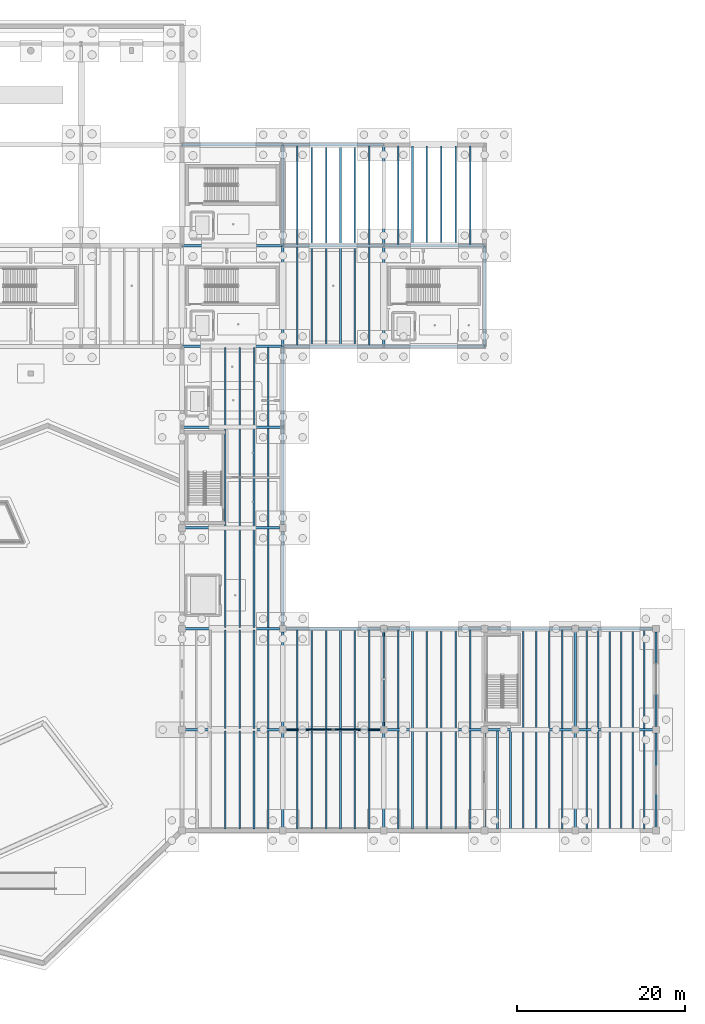
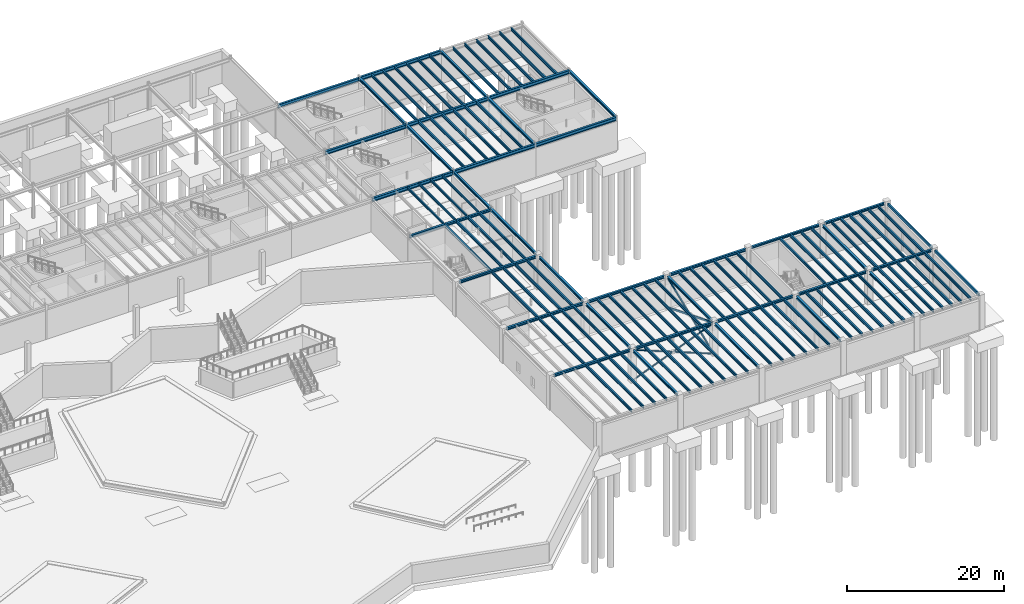
# One storey, part 27 of 67: 121 beams, 6 members.
"""IFC4 building model written with IfcOpenShell, lengths in metres."""

from ifc_helpers import new_model, si_unit, direction, frame, origin, origin_2d, place, context, subcontext, project, spatial, hollow_rectangle, hollow_circle, i_section, extrude, material, material_profile, profile_set, type_object, element, save


model = new_model("IFC4")

# Units and contexts
model_context = context("Model", 3, precision=1e-05, world=origin(), true_north=direction((0.0, 1.0)))
body_context = subcontext(model_context, "Body", "Model", "MODEL_VIEW")
ifc_project = project(units=[si_unit("LENGTHUNIT", "METRE"), si_unit("AREAUNIT", "SQUARE_METRE"), si_unit("VOLUMEUNIT", "CUBIC_METRE"), si_unit("PLANEANGLEUNIT", "RADIAN"), si_unit("MASSUNIT", "GRAM", prefix="KILO")], contexts=[model_context])

# Site, building, storey
site_placement = place(None, origin())
site = spatial("IfcSite", under=ifc_project, at=site_placement, CompositionType="ELEMENT")
building_placement = place(site_placement, origin())
building = spatial("IfcBuilding", under=site, at=building_placement, Name="Zlatogorsky Bluff Art Gallery", CompositionType="ELEMENT")
storey_placement = place(building_placement, frame((0.0, 0.0, -5.39990234375)))
storey = spatial("IfcBuildingStorey", under=building, at=storey_placement, Name="B1", CompositionType="ELEMENT", Elevation=-5.39990234375)

# Beams
ifc_material = material(Name="Steel S355", Category="steel")
ifc_material_profile_1 = material_profile(ifc_material, i_section(OverallWidth=0.300048828125, OverallDepth=0.550048828125, WebThickness=0.014892578125, FlangeThickness=0.029052734375, FilletRadius=0.027099609375, at=origin_2d()), Name="HEB 550")
ifc_profile_set_1 = profile_set([ifc_material_profile_1], Name="Steel S355")
beam_type_1 = type_object("IfcBeamType", Name="Beam BM-01 HEB 550", PredefinedType="BEAM", material=ifc_profile_set_1)
for number, where, z_axis, x_axis, name in (
    (1, (120.014892578125, 84.0, 4.764892578125), (1.0, 0.0, 0.0), (0.0, 1.0, 0.0), "Primary girder BM-01 B1 L-M/9"),
    (2, (120.014892578125, 96.0, 4.764892578125), (1.0, 0.0, 0.0), (0.0, 1.0, 0.0), "Primary girder BM-01 B1 L-M/10"),
    (3, (120.014892578125, 108.0, 4.764892578125), (1.0, 0.0, 0.0), (0.0, 1.0, 0.0), "Primary girder BM-01 B1 L-M/11"),
    (4, (132.014892578125, 84.0, 4.844970703125), (1.0, 0.0, 0.0), (0.0, 1.0, 0.0), "Primary girder BM-01 B1 M-N/9"),
    (5, (132.014892578125, 96.0, 4.844970703125), (1.0, 0.0, 0.0), (0.0, 1.0, 0.0), "Primary girder BM-01 B1 M-N/10"),
    (6, (132.014892578125, 108.0, 4.844970703125), (1.0, 0.0, 0.0), (0.0, 1.0, 0.0), "Primary girder BM-01 B1 M-N/11"),
    (7, (144.014892578125, 84.0, 4.844970703125), (1.0, 0.0, 0.0), (0.0, 1.0, 0.0), "Primary girder BM-01 B1 N-P/9"),
    (8, (144.014892578125, 96.0, 4.844970703125), (1.0, 0.0, 0.0), (0.0, 1.0, 0.0), "Primary girder BM-01 B1 N-P/10"),
):
    element("IfcBeam", number, at=place(storey_placement, frame(where, z_axis=z_axis, x_axis=x_axis)), inside=storey, type_object=beam_type_1, Name=name, PredefinedType="BEAM", context=body_context, shape_type="SweptSolid", body=[
        extrude(i_section(OverallWidth=0.300048828125, OverallDepth=0.550048828125, WebThickness=0.014892578125, FlangeThickness=0.029052734375, FilletRadius=0.027099609375, at=origin_2d()), origin(), (0.0, 0.0, 1.0), 11.97021484375),
    ])
ifc_material_profile_2 = material_profile(ifc_material, i_section(OverallWidth=0.300048828125, OverallDepth=0.389892578125, WebThickness=0.010986328125, FlangeThickness=0.01904296875, FilletRadius=0.027099609375, at=origin_2d()), Name="HEA 400")
ifc_profile_set_2 = profile_set([ifc_material_profile_2], Name="Steel S355")
beam_type_2 = type_object("IfcBeamType", Name="Beam BM-09 HEA 400", PredefinedType="BEAM", material=ifc_profile_set_2)
for number, where, z_axis, x_axis, name in (
    (9, (120.3798828125, 38.39990234375, 4.9248046875), (1.0, 0.0, 0.0), (0.0, 1.0, 0.0), "Primary girder BM-09 B1 L-M/5"),
    (10, (120.3798828125, 50.39990234375, 4.9248046875), (1.0, 0.0, 0.0), (0.0, 1.0, 0.0), "Primary girder BM-09 B1 L-M/6"),
    (11, (120.3798828125, 62.39990234375, 4.9248046875), (1.0, 0.0, 0.0), (0.0, 1.0, 0.0), "Primary girder BM-09 B1 L-M/7"),
):
    element("IfcBeam", number, at=place(storey_placement, frame(where, z_axis=z_axis, x_axis=x_axis)), inside=storey, type_object=beam_type_2, Name=name, PredefinedType="BEAM", context=body_context, shape_type="SweptSolid", body=[
        extrude(i_section(OverallWidth=0.300048828125, OverallDepth=0.389892578125, WebThickness=0.010986328125, FlangeThickness=0.01904296875, FilletRadius=0.027099609375, at=origin_2d()), origin(), (0.0, 0.0, 1.0), 11.240234375),
    ])
beam_1_placement = place(storey_placement, frame((120.014892578125, 74.39990234375, 4.844970703125), z_axis=(1.0, 0.0, 0.0), x_axis=(0.0, 1.0, 0.0)))
element("IfcBeam", 12, at=beam_1_placement, inside=storey, type_object=beam_type_2, Name="Primary girder BM-09 B1 L-M/8", PredefinedType="BEAM", context=body_context, shape_type="SweptSolid", body=[
    extrude(i_section(OverallWidth=0.300048828125, OverallDepth=0.389892578125, WebThickness=0.010986328125, FlangeThickness=0.01904296875, FilletRadius=0.027099609375, at=origin_2d()), origin(), (0.0, 0.0, 1.0), 11.97021484375),
])
for number, where, z_axis, x_axis, name in (
    (13, (132.3798828125, 38.39990234375, 4.9248046875), (1.0, 0.0, 0.0), (0.0, 1.0, 0.0), "Primary girder BM-09 B1 M-N/5"),
    (14, (132.3798828125, 50.39990234375, 4.9248046875), (1.0, 0.0, 0.0), (0.0, 1.0, 0.0), "Primary girder BM-09 B1 M-N/6"),
    (15, (144.3798828125, 38.39990234375, 4.9248046875), (1.0, 0.0, 0.0), (0.0, 1.0, 0.0), "Primary girder BM-09 B1 N-P/5"),
    (16, (144.3798828125, 50.39990234375, 4.9248046875), (1.0, 0.0, 0.0), (0.0, 1.0, 0.0), "Primary girder BM-09 B1 N-P/6"),
):
    element("IfcBeam", number, at=place(storey_placement, frame(where, z_axis=z_axis, x_axis=x_axis)), inside=storey, type_object=beam_type_2, Name=name, PredefinedType="BEAM", context=body_context, shape_type="SweptSolid", body=[
        extrude(i_section(OverallWidth=0.300048828125, OverallDepth=0.389892578125, WebThickness=0.010986328125, FlangeThickness=0.01904296875, FilletRadius=0.027099609375, at=origin_2d()), origin(), (0.0, 0.0, 1.0), 11.240234375),
    ])
for number, where, z_axis, x_axis, name in (
    (17, (132.0, 26.780029296875, 4.9248046875), (0.0, 1.0, 0.0), (-1.0, 0.0, 0.0), "Primary girder BM-09 B1 M/4-5"),
    (18, (132.0, 38.780029296875, 4.9248046875), (0.0, 1.0, 0.0), (-1.0, 0.0, 0.0), "Primary girder BM-09 B1 M/5-6"),
    (19, (132.0, 50.780029296875, 4.9248046875), (0.0, 1.0, 0.0), (-1.0, 0.0, 0.0), "Primary girder BM-09 B1 M/6-7"),
):
    element("IfcBeam", number, at=place(storey_placement, frame(where, z_axis=z_axis, x_axis=x_axis)), inside=storey, type_object=beam_type_2, Name=name, PredefinedType="BEAM", context=body_context, shape_type="SweptSolid", body=[
        extrude(i_section(OverallWidth=0.300048828125, OverallDepth=0.389892578125, WebThickness=0.010986328125, FlangeThickness=0.01904296875, FilletRadius=0.027099609375, at=origin_2d()), origin(), (0.0, 0.0, 1.0), 11.239990234375),
    ])
beam_2_placement = place(storey_placement, frame((132.0, 62.780029296875, 4.9248046875), z_axis=(0.0, 1.0, 0.0), x_axis=(-1.0, 0.0, 0.0)))
element("IfcBeam", 20, at=beam_2_placement, inside=storey, type_object=beam_type_2, Name="Primary girder BM-09 B1 M/7-8", PredefinedType="BEAM", context=body_context, shape_type="SweptSolid", body=[
    extrude(i_section(OverallWidth=0.300048828125, OverallDepth=0.389892578125, WebThickness=0.010986328125, FlangeThickness=0.01904296875, FilletRadius=0.027099609375, at=origin_2d()), origin(), (0.0, 0.0, 1.0), 11.60498046875),
])
for number, where, z_axis, x_axis, name in (
    (21, (132.0, 84.014892578125, 4.9248046875), (0.0, 1.0, 0.0), (-1.0, 0.0, 0.0), "Primary girder BM-09 B1 M/9-10"),
    (22, (132.0, 96.014892578125, 4.9248046875), (0.0, 1.0, 0.0), (-1.0, 0.0, 0.0), "Primary girder BM-09 B1 M/10-11"),
):
    element("IfcBeam", number, at=place(storey_placement, frame(where, z_axis=z_axis, x_axis=x_axis)), inside=storey, type_object=beam_type_2, Name=name, PredefinedType="BEAM", context=body_context, shape_type="SweptSolid", body=[
        extrude(i_section(OverallWidth=0.300048828125, OverallDepth=0.389892578125, WebThickness=0.010986328125, FlangeThickness=0.01904296875, FilletRadius=0.027099609375, at=origin_2d()), origin(), (0.0, 0.0, 1.0), 11.97021484375),
    ])
for number, where, z_axis, x_axis, name in (
    (23, (144.0, 26.780029296875, 4.9248046875), (0.0, 1.0, 0.0), (-1.0, 0.0, 0.0), "Primary girder BM-09 B1 N/4-5"),
    (24, (144.0, 38.780029296875, 4.9248046875), (0.0, 1.0, 0.0), (-1.0, 0.0, 0.0), "Primary girder BM-09 B1 N/5-6"),
):
    element("IfcBeam", number, at=place(storey_placement, frame(where, z_axis=z_axis, x_axis=x_axis)), inside=storey, type_object=beam_type_2, Name=name, PredefinedType="BEAM", context=body_context, shape_type="SweptSolid", body=[
        extrude(i_section(OverallWidth=0.300048828125, OverallDepth=0.389892578125, WebThickness=0.010986328125, FlangeThickness=0.01904296875, FilletRadius=0.027099609375, at=origin_2d()), origin(), (0.0, 0.0, 1.0), 11.239990234375),
    ])
for number, where, z_axis, x_axis, name in (
    (25, (144.0, 84.014892578125, 4.9248046875), (0.0, 1.0, 0.0), (-1.0, 0.0, 0.0), "Primary girder BM-09 B1 N/9-10"),
    (26, (144.0, 96.014892578125, 4.9248046875), (0.0, 1.0, 0.0), (-1.0, 0.0, 0.0), "Primary girder BM-09 B1 N/10-11"),
):
    element("IfcBeam", number, at=place(storey_placement, frame(where, z_axis=z_axis, x_axis=x_axis)), inside=storey, type_object=beam_type_2, Name=name, PredefinedType="BEAM", context=body_context, shape_type="SweptSolid", body=[
        extrude(i_section(OverallWidth=0.300048828125, OverallDepth=0.389892578125, WebThickness=0.010986328125, FlangeThickness=0.01904296875, FilletRadius=0.027099609375, at=origin_2d()), origin(), (0.0, 0.0, 1.0), 11.97021484375),
    ])
beam_3_placement = place(storey_placement, frame((156.0, 26.780029296875, 4.9248046875), z_axis=(0.0, 1.0, 0.0), x_axis=(-1.0, 0.0, 0.0)))
element("IfcBeam", 27, at=beam_3_placement, inside=storey, type_object=beam_type_2, Name="Primary girder BM-09 B1 P/4-5", PredefinedType="BEAM", context=body_context, shape_type="SweptSolid", body=[
    extrude(i_section(OverallWidth=0.300048828125, OverallDepth=0.389892578125, WebThickness=0.010986328125, FlangeThickness=0.01904296875, FilletRadius=0.027099609375, at=origin_2d()), origin(), (0.0, 0.0, 1.0), 11.239990234375),
])
beam_4_placement = place(storey_placement, frame((156.0, 84.014892578125, 4.9248046875), z_axis=(0.0, 1.0, 0.0), x_axis=(-1.0, 0.0, 0.0)))
element("IfcBeam", 28, at=beam_4_placement, inside=storey, type_object=beam_type_2, Name="Primary girder BM-09 B1 P/9-10", PredefinedType="BEAM", context=body_context, shape_type="SweptSolid", body=[
    extrude(i_section(OverallWidth=0.300048828125, OverallDepth=0.389892578125, WebThickness=0.010986328125, FlangeThickness=0.01904296875, FilletRadius=0.027099609375, at=origin_2d()), origin(), (0.0, 0.0, 1.0), 11.97021484375),
])
for number, where, z_axis, x_axis, name in (
    (29, (166.800048828125, 26.780029296875, 4.9248046875), (0.0, 1.0, 0.0), (-1.0, 0.0, 0.0), "Primary girder BM-09 B1 Q/4-5"),
    (30, (166.800048828125, 38.780029296875, 4.9248046875), (0.0, 1.0, 0.0), (-1.0, 0.0, 0.0), "Primary girder BM-09 B1 Q/5-6"),
):
    element("IfcBeam", number, at=place(storey_placement, frame(where, z_axis=z_axis, x_axis=x_axis)), inside=storey, type_object=beam_type_2, Name=name, PredefinedType="BEAM", context=body_context, shape_type="SweptSolid", body=[
        extrude(i_section(OverallWidth=0.300048828125, OverallDepth=0.389892578125, WebThickness=0.010986328125, FlangeThickness=0.01904296875, FilletRadius=0.027099609375, at=origin_2d()), origin(), (0.0, 0.0, 1.0), 11.239990234375),
    ])
ifc_material_profile_3 = material_profile(ifc_material, i_section(OverallWidth=0.300048828125, OverallDepth=0.35009765625, WebThickness=0.010009765625, FlangeThickness=0.017578125, FilletRadius=0.027099609375, at=origin_2d()), Name="HEA 360")
ifc_profile_set_3 = profile_set([ifc_material_profile_3], Name="Steel S355")
beam_type_3 = type_object("IfcBeamType", Name="Beam BM-10 HEA 360", PredefinedType="BEAM", material=ifc_profile_set_3)
for number, where, z_axis, x_axis, name in (
    (31, (156.3798828125, 38.39990234375, 4.94482421875), (1.0, 0.0, 0.0), (0.0, 1.0, 0.0), "Primary girder BM-10 B1 P-Q/5"),
    (32, (156.3798828125, 50.39990234375, 4.94482421875), (1.0, 0.0, 0.0), (0.0, 1.0, 0.0), "Primary girder BM-10 B1 P-Q/6"),
):
    element("IfcBeam", number, at=place(storey_placement, frame(where, z_axis=z_axis, x_axis=x_axis)), inside=storey, type_object=beam_type_3, Name=name, PredefinedType="BEAM", context=body_context, shape_type="SweptSolid", body=[
        extrude(i_section(OverallWidth=0.300048828125, OverallDepth=0.35009765625, WebThickness=0.010009765625, FlangeThickness=0.017578125, FilletRadius=0.027099609375, at=origin_2d()), origin(), (0.0, 0.0, 1.0), 10.0400390625),
    ])
for number, where, z_axis, x_axis, name in (
    (33, (167.179931640625, 38.39990234375, 4.94482421875), (1.0, 0.0, 0.0), (0.0, 1.0, 0.0), "Primary girder BM-10 B1 Q-R/5"),
    (34, (167.179931640625, 50.39990234375, 4.94482421875), (1.0, 0.0, 0.0), (0.0, 1.0, 0.0), "Primary girder BM-10 B1 Q-R/6"),
):
    element("IfcBeam", number, at=place(storey_placement, frame(where, z_axis=z_axis, x_axis=x_axis)), inside=storey, type_object=beam_type_3, Name=name, PredefinedType="BEAM", context=body_context, shape_type="SweptSolid", body=[
        extrude(i_section(OverallWidth=0.300048828125, OverallDepth=0.35009765625, WebThickness=0.010009765625, FlangeThickness=0.017578125, FilletRadius=0.027099609375, at=origin_2d()), origin(), (0.0, 0.0, 1.0), 8.840087890625),
    ])
beam_5_placement = place(storey_placement, frame((132.0, 74.4150390625, 4.94482421875), z_axis=(0.0, 1.0, 0.0), x_axis=(-1.0, 0.0, 0.0)))
element("IfcBeam", 35, at=beam_5_placement, inside=storey, type_object=beam_type_3, Name="Primary girder BM-10 B1 M/8-9", PredefinedType="BEAM", context=body_context, shape_type="SweptSolid", body=[
    extrude(i_section(OverallWidth=0.300048828125, OverallDepth=0.35009765625, WebThickness=0.010009765625, FlangeThickness=0.017578125, FilletRadius=0.027099609375, at=origin_2d()), origin(), (0.0, 0.0, 1.0), 9.570068359375),
])
ifc_material_profile_4 = material_profile(ifc_material, i_section(OverallWidth=0.169921875, OverallDepth=0.360107421875, WebThickness=0.008056640625, FlangeThickness=0.0126953125, FilletRadius=0.01806640625, at=origin_2d()), Name="IPE 360")
ifc_profile_set_4 = profile_set([ifc_material_profile_4], Name="Steel S355")
beam_type_4 = type_object("IfcBeamType", Name="Beam JS-04 IPE 360", PredefinedType="JOIST", material=ifc_profile_set_4)
for number, where, z_axis, x_axis, name in (
    (36, (125.142822265625, 74.550048828125, 4.93994140625), (0.0, 1.0, 0.0), (-1.0, 0.0, 0.0), "Composite floor joist JS-04 B1 10.07.3"),
    (37, (126.857177734375, 74.550048828125, 4.93994140625), (0.0, 1.0, 0.0), (-1.0, 0.0, 0.0), "Composite floor joist JS-04 B1 10.07.4"),
    (38, (128.571533203125, 74.550048828125, 4.93994140625), (0.0, 1.0, 0.0), (-1.0, 0.0, 0.0), "Composite floor joist JS-04 B1 10.07.5"),
    (39, (130.28564453125, 74.550048828125, 4.93994140625), (0.0, 1.0, 0.0), (-1.0, 0.0, 0.0), "Composite floor joist JS-04 B1 10.07.6"),
):
    element("IfcBeam", number, at=place(storey_placement, frame(where, z_axis=z_axis, x_axis=x_axis)), inside=storey, type_object=beam_type_4, Name=name, PredefinedType="JOIST", context=body_context, shape_type="SweptSolid", body=[
        extrude(i_section(OverallWidth=0.169921875, OverallDepth=0.360107421875, WebThickness=0.008056640625, FlangeThickness=0.0126953125, FilletRadius=0.01806640625, at=origin_2d()), origin(), (0.0, 0.0, 1.0), 9.300048828125),
    ])
ifc_material_profile_5 = material_profile(ifc_material, i_section(OverallWidth=0.18994140625, OverallDepth=0.449951171875, WebThickness=0.009521484375, FlangeThickness=0.0146484375, FilletRadius=0.02099609375, at=origin_2d()), Name="IPE 450")
ifc_profile_set_5 = profile_set([ifc_material_profile_5], Name="Steel S355")
beam_type_5 = type_object("IfcBeamType", Name="Beam JS-06 IPE 450", PredefinedType="JOIST", material=ifc_profile_set_5)
for number, where, z_axis, x_axis, name in (
    (40, (125.142822265625, 26.550048828125, 4.89501953125), (0.0, 1.0, 0.0), (-1.0, 0.0, 0.0), "Composite floor joist JS-06 B1 10.03.3"),
    (41, (126.857177734375, 26.550048828125, 4.89501953125), (0.0, 1.0, 0.0), (-1.0, 0.0, 0.0), "Composite floor joist JS-06 B1 10.03.4"),
    (42, (128.571533203125, 26.550048828125, 4.89501953125), (0.0, 1.0, 0.0), (-1.0, 0.0, 0.0), "Composite floor joist JS-06 B1 10.03.5"),
    (43, (130.28564453125, 26.550048828125, 4.89501953125), (0.0, 1.0, 0.0), (-1.0, 0.0, 0.0), "Composite floor joist JS-06 B1 10.03.6"),
    (44, (125.142822265625, 38.550048828125, 4.89501953125), (0.0, 1.0, 0.0), (-1.0, 0.0, 0.0), "Composite floor joist JS-06 B1 10.04.3"),
    (45, (126.857177734375, 38.550048828125, 4.89501953125), (0.0, 1.0, 0.0), (-1.0, 0.0, 0.0), "Composite floor joist JS-06 B1 10.04.4"),
    (46, (128.571533203125, 38.550048828125, 4.89501953125), (0.0, 1.0, 0.0), (-1.0, 0.0, 0.0), "Composite floor joist JS-06 B1 10.04.5"),
    (47, (130.28564453125, 38.550048828125, 4.89501953125), (0.0, 1.0, 0.0), (-1.0, 0.0, 0.0), "Composite floor joist JS-06 B1 10.04.6"),
    (48, (125.142822265625, 50.550048828125, 4.89501953125), (0.0, 1.0, 0.0), (-1.0, 0.0, 0.0), "Composite floor joist JS-06 B1 10.05.3"),
    (49, (126.857177734375, 50.550048828125, 4.89501953125), (0.0, 1.0, 0.0), (-1.0, 0.0, 0.0), "Composite floor joist JS-06 B1 10.05.4"),
    (50, (128.571533203125, 50.550048828125, 4.89501953125), (0.0, 1.0, 0.0), (-1.0, 0.0, 0.0), "Composite floor joist JS-06 B1 10.05.5"),
    (51, (130.28564453125, 50.550048828125, 4.89501953125), (0.0, 1.0, 0.0), (-1.0, 0.0, 0.0), "Composite floor joist JS-06 B1 10.05.6"),
    (52, (125.142822265625, 62.550048828125, 4.89501953125), (0.0, 1.0, 0.0), (-1.0, 0.0, 0.0), "Composite floor joist JS-06 B1 10.06.3"),
    (53, (126.857177734375, 62.550048828125, 4.89501953125), (0.0, 1.0, 0.0), (-1.0, 0.0, 0.0), "Composite floor joist JS-06 B1 10.06.4"),
    (54, (128.571533203125, 62.550048828125, 4.89501953125), (0.0, 1.0, 0.0), (-1.0, 0.0, 0.0), "Composite floor joist JS-06 B1 10.06.5"),
    (55, (130.28564453125, 62.550048828125, 4.89501953125), (0.0, 1.0, 0.0), (-1.0, 0.0, 0.0), "Composite floor joist JS-06 B1 10.06.6"),
    (56, (133.71435546875, 26.550048828125, 4.89501953125), (0.0, 1.0, 0.0), (-1.0, 0.0, 0.0), "Composite floor joist JS-06 B1 11.03.1"),
    (57, (135.428466796875, 26.550048828125, 4.89501953125), (0.0, 1.0, 0.0), (-1.0, 0.0, 0.0), "Composite floor joist JS-06 B1 11.03.2"),
    (58, (137.142822265625, 26.550048828125, 4.89501953125), (0.0, 1.0, 0.0), (-1.0, 0.0, 0.0), "Composite floor joist JS-06 B1 11.03.3"),
    (59, (138.857177734375, 26.550048828125, 4.89501953125), (0.0, 1.0, 0.0), (-1.0, 0.0, 0.0), "Composite floor joist JS-06 B1 11.03.4"),
    (60, (140.571533203125, 26.550048828125, 4.89501953125), (0.0, 1.0, 0.0), (-1.0, 0.0, 0.0), "Composite floor joist JS-06 B1 11.03.5"),
    (61, (142.28564453125, 26.550048828125, 4.89501953125), (0.0, 1.0, 0.0), (-1.0, 0.0, 0.0), "Composite floor joist JS-06 B1 11.03.6"),
    (62, (133.71435546875, 38.550048828125, 4.89501953125), (0.0, 1.0, 0.0), (-1.0, 0.0, 0.0), "Composite floor joist JS-06 B1 11.04.1"),
    (63, (135.428466796875, 38.550048828125, 4.89501953125), (0.0, 1.0, 0.0), (-1.0, 0.0, 0.0), "Composite floor joist JS-06 B1 11.04.2"),
    (64, (137.142822265625, 38.550048828125, 4.89501953125), (0.0, 1.0, 0.0), (-1.0, 0.0, 0.0), "Composite floor joist JS-06 B1 11.04.3"),
    (65, (138.857177734375, 38.550048828125, 4.89501953125), (0.0, 1.0, 0.0), (-1.0, 0.0, 0.0), "Composite floor joist JS-06 B1 11.04.4"),
    (66, (140.571533203125, 38.550048828125, 4.89501953125), (0.0, 1.0, 0.0), (-1.0, 0.0, 0.0), "Composite floor joist JS-06 B1 11.04.5"),
    (67, (142.28564453125, 38.550048828125, 4.89501953125), (0.0, 1.0, 0.0), (-1.0, 0.0, 0.0), "Composite floor joist JS-06 B1 11.04.6"),
):
    element("IfcBeam", number, at=place(storey_placement, frame(where, z_axis=z_axis, x_axis=x_axis)), inside=storey, type_object=beam_type_5, Name=name, PredefinedType="JOIST", context=body_context, shape_type="SweptSolid", body=[
        extrude(i_section(OverallWidth=0.18994140625, OverallDepth=0.449951171875, WebThickness=0.009521484375, FlangeThickness=0.0146484375, FilletRadius=0.02099609375, at=origin_2d()), origin(), (0.0, 0.0, 1.0), 11.699951171875),
    ])
for number, where, z_axis, x_axis, name in (
    (68, (133.71435546875, 84.14990234375, 4.89501953125), (0.0, 1.0, 0.0), (-1.0, 0.0, 0.0), "Composite floor joist JS-06 B1 11.08.1"),
    (69, (135.428466796875, 84.14990234375, 4.89501953125), (0.0, 1.0, 0.0), (-1.0, 0.0, 0.0), "Composite floor joist JS-06 B1 11.08.2"),
    (70, (137.142822265625, 84.14990234375, 4.89501953125), (0.0, 1.0, 0.0), (-1.0, 0.0, 0.0), "Composite floor joist JS-06 B1 11.08.3"),
    (71, (138.857177734375, 84.14990234375, 4.89501953125), (0.0, 1.0, 0.0), (-1.0, 0.0, 0.0), "Composite floor joist JS-06 B1 11.08.4"),
    (72, (140.571533203125, 84.14990234375, 4.89501953125), (0.0, 1.0, 0.0), (-1.0, 0.0, 0.0), "Composite floor joist JS-06 B1 11.08.5"),
    (73, (142.28564453125, 84.14990234375, 4.89501953125), (0.0, 1.0, 0.0), (-1.0, 0.0, 0.0), "Composite floor joist JS-06 B1 11.08.6"),
    (74, (133.71435546875, 96.14990234375, 4.89501953125), (0.0, 1.0, 0.0), (-1.0, 0.0, 0.0), "Composite floor joist JS-06 B1 11.09.1"),
    (75, (135.428466796875, 96.14990234375, 4.89501953125), (0.0, 1.0, 0.0), (-1.0, 0.0, 0.0), "Composite floor joist JS-06 B1 11.09.2"),
    (76, (137.142822265625, 96.14990234375, 4.89501953125), (0.0, 1.0, 0.0), (-1.0, 0.0, 0.0), "Composite floor joist JS-06 B1 11.09.3"),
    (77, (138.857177734375, 96.14990234375, 4.89501953125), (0.0, 1.0, 0.0), (-1.0, 0.0, 0.0), "Composite floor joist JS-06 B1 11.09.4"),
    (78, (140.571533203125, 96.14990234375, 4.89501953125), (0.0, 1.0, 0.0), (-1.0, 0.0, 0.0), "Composite floor joist JS-06 B1 11.09.5"),
    (79, (142.28564453125, 96.14990234375, 4.89501953125), (0.0, 1.0, 0.0), (-1.0, 0.0, 0.0), "Composite floor joist JS-06 B1 11.09.6"),
):
    element("IfcBeam", number, at=place(storey_placement, frame(where, z_axis=z_axis, x_axis=x_axis)), inside=storey, type_object=beam_type_5, Name=name, PredefinedType="JOIST", context=body_context, shape_type="SweptSolid", body=[
        extrude(i_section(OverallWidth=0.18994140625, OverallDepth=0.449951171875, WebThickness=0.009521484375, FlangeThickness=0.0146484375, FilletRadius=0.02099609375, at=origin_2d()), origin(), (0.0, 0.0, 1.0), 11.7001953125),
    ])
for number, where, z_axis, x_axis, name in (
    (80, (145.71435546875, 26.550048828125, 4.89501953125), (0.0, 1.0, 0.0), (-1.0, 0.0, 0.0), "Composite floor joist JS-06 B1 12.03.1"),
    (81, (147.428466796875, 26.550048828125, 4.89501953125), (0.0, 1.0, 0.0), (-1.0, 0.0, 0.0), "Composite floor joist JS-06 B1 12.03.2"),
    (82, (149.142822265625, 26.550048828125, 4.89501953125), (0.0, 1.0, 0.0), (-1.0, 0.0, 0.0), "Composite floor joist JS-06 B1 12.03.3"),
    (83, (150.857177734375, 26.550048828125, 4.89501953125), (0.0, 1.0, 0.0), (-1.0, 0.0, 0.0), "Composite floor joist JS-06 B1 12.03.4"),
    (84, (152.571533203125, 26.550048828125, 4.89501953125), (0.0, 1.0, 0.0), (-1.0, 0.0, 0.0), "Composite floor joist JS-06 B1 12.03.5"),
    (85, (154.28564453125, 26.550048828125, 4.89501953125), (0.0, 1.0, 0.0), (-1.0, 0.0, 0.0), "Composite floor joist JS-06 B1 12.03.6"),
    (86, (145.71435546875, 38.550048828125, 4.89501953125), (0.0, 1.0, 0.0), (-1.0, 0.0, 0.0), "Composite floor joist JS-06 B1 12.04.1"),
    (87, (147.428466796875, 38.550048828125, 4.89501953125), (0.0, 1.0, 0.0), (-1.0, 0.0, 0.0), "Composite floor joist JS-06 B1 12.04.2"),
    (88, (149.142822265625, 38.550048828125, 4.89501953125), (0.0, 1.0, 0.0), (-1.0, 0.0, 0.0), "Composite floor joist JS-06 B1 12.04.3"),
    (89, (150.857177734375, 38.550048828125, 4.89501953125), (0.0, 1.0, 0.0), (-1.0, 0.0, 0.0), "Composite floor joist JS-06 B1 12.04.4"),
    (90, (152.571533203125, 38.550048828125, 4.89501953125), (0.0, 1.0, 0.0), (-1.0, 0.0, 0.0), "Composite floor joist JS-06 B1 12.04.5"),
    (91, (154.28564453125, 38.550048828125, 4.89501953125), (0.0, 1.0, 0.0), (-1.0, 0.0, 0.0), "Composite floor joist JS-06 B1 12.04.6"),
):
    element("IfcBeam", number, at=place(storey_placement, frame(where, z_axis=z_axis, x_axis=x_axis)), inside=storey, type_object=beam_type_5, Name=name, PredefinedType="JOIST", context=body_context, shape_type="SweptSolid", body=[
        extrude(i_section(OverallWidth=0.18994140625, OverallDepth=0.449951171875, WebThickness=0.009521484375, FlangeThickness=0.0146484375, FilletRadius=0.02099609375, at=origin_2d()), origin(), (0.0, 0.0, 1.0), 11.699951171875),
    ])
for number, where, z_axis, x_axis, name in (
    (92, (145.71435546875, 96.14990234375, 4.89501953125), (0.0, 1.0, 0.0), (-1.0, 0.0, 0.0), "Composite floor joist JS-06 B1 12.09.1"),
    (93, (147.428466796875, 96.14990234375, 4.89501953125), (0.0, 1.0, 0.0), (-1.0, 0.0, 0.0), "Composite floor joist JS-06 B1 12.09.2"),
    (94, (149.142822265625, 96.14990234375, 4.89501953125), (0.0, 1.0, 0.0), (-1.0, 0.0, 0.0), "Composite floor joist JS-06 B1 12.09.3"),
    (95, (150.857177734375, 96.14990234375, 4.89501953125), (0.0, 1.0, 0.0), (-1.0, 0.0, 0.0), "Composite floor joist JS-06 B1 12.09.4"),
    (96, (152.571533203125, 96.14990234375, 4.89501953125), (0.0, 1.0, 0.0), (-1.0, 0.0, 0.0), "Composite floor joist JS-06 B1 12.09.5"),
    (97, (154.28564453125, 96.14990234375, 4.89501953125), (0.0, 1.0, 0.0), (-1.0, 0.0, 0.0), "Composite floor joist JS-06 B1 12.09.6"),
):
    element("IfcBeam", number, at=place(storey_placement, frame(where, z_axis=z_axis, x_axis=x_axis)), inside=storey, type_object=beam_type_5, Name=name, PredefinedType="JOIST", context=body_context, shape_type="SweptSolid", body=[
        extrude(i_section(OverallWidth=0.18994140625, OverallDepth=0.449951171875, WebThickness=0.009521484375, FlangeThickness=0.0146484375, FilletRadius=0.02099609375, at=origin_2d()), origin(), (0.0, 0.0, 1.0), 11.7001953125),
    ])
for number, where, z_axis, x_axis, name in (
    (98, (157.54296875, 26.550048828125, 4.89501953125), (0.0, 1.0, 0.0), (-1.0, 0.0, 0.0), "Composite floor joist JS-06 B1 13.03.1"),
    (99, (159.085693359375, 26.550048828125, 4.89501953125), (0.0, 1.0, 0.0), (-1.0, 0.0, 0.0), "Composite floor joist JS-06 B1 13.03.2"),
    (100, (160.628662109375, 26.550048828125, 4.89501953125), (0.0, 1.0, 0.0), (-1.0, 0.0, 0.0), "Composite floor joist JS-06 B1 13.03.3"),
    (101, (162.17138671875, 26.550048828125, 4.89501953125), (0.0, 1.0, 0.0), (-1.0, 0.0, 0.0), "Composite floor joist JS-06 B1 13.03.4"),
    (102, (163.71435546875, 26.550048828125, 4.89501953125), (0.0, 1.0, 0.0), (-1.0, 0.0, 0.0), "Composite floor joist JS-06 B1 13.03.5"),
    (103, (165.257080078125, 26.550048828125, 4.89501953125), (0.0, 1.0, 0.0), (-1.0, 0.0, 0.0), "Composite floor joist JS-06 B1 13.03.6"),
    (104, (160.628662109375, 38.550048828125, 4.89501953125), (0.0, 1.0, 0.0), (-1.0, 0.0, 0.0), "Composite floor joist JS-06 B1 13.04.3"),
    (105, (162.17138671875, 38.550048828125, 4.89501953125), (0.0, 1.0, 0.0), (-1.0, 0.0, 0.0), "Composite floor joist JS-06 B1 13.04.4"),
    (106, (163.71435546875, 38.550048828125, 4.89501953125), (0.0, 1.0, 0.0), (-1.0, 0.0, 0.0), "Composite floor joist JS-06 B1 13.04.5"),
    (107, (165.257080078125, 38.550048828125, 4.89501953125), (0.0, 1.0, 0.0), (-1.0, 0.0, 0.0), "Composite floor joist JS-06 B1 13.04.6"),
    (108, (168.17138671875, 26.550048828125, 4.89501953125), (0.0, 1.0, 0.0), (-1.0, 0.0, 0.0), "Composite floor joist JS-06 B1 14.03.1"),
    (109, (169.54296875, 26.550048828125, 4.89501953125), (0.0, 1.0, 0.0), (-1.0, 0.0, 0.0), "Composite floor joist JS-06 B1 14.03.2"),
    (110, (170.914306640625, 26.550048828125, 4.89501953125), (0.0, 1.0, 0.0), (-1.0, 0.0, 0.0), "Composite floor joist JS-06 B1 14.03.3"),
    (111, (172.28564453125, 26.550048828125, 4.89501953125), (0.0, 1.0, 0.0), (-1.0, 0.0, 0.0), "Composite floor joist JS-06 B1 14.03.4"),
    (112, (173.6572265625, 26.550048828125, 4.89501953125), (0.0, 1.0, 0.0), (-1.0, 0.0, 0.0), "Composite floor joist JS-06 B1 14.03.5"),
    (113, (175.028564453125, 26.550048828125, 4.89501953125), (0.0, 1.0, 0.0), (-1.0, 0.0, 0.0), "Composite floor joist JS-06 B1 14.03.6"),
    (114, (168.17138671875, 38.550048828125, 4.89501953125), (0.0, 1.0, 0.0), (-1.0, 0.0, 0.0), "Composite floor joist JS-06 B1 14.04.1"),
    (115, (169.54296875, 38.550048828125, 4.89501953125), (0.0, 1.0, 0.0), (-1.0, 0.0, 0.0), "Composite floor joist JS-06 B1 14.04.2"),
    (116, (170.914306640625, 38.550048828125, 4.89501953125), (0.0, 1.0, 0.0), (-1.0, 0.0, 0.0), "Composite floor joist JS-06 B1 14.04.3"),
    (117, (172.28564453125, 38.550048828125, 4.89501953125), (0.0, 1.0, 0.0), (-1.0, 0.0, 0.0), "Composite floor joist JS-06 B1 14.04.4"),
    (118, (173.6572265625, 38.550048828125, 4.89501953125), (0.0, 1.0, 0.0), (-1.0, 0.0, 0.0), "Composite floor joist JS-06 B1 14.04.5"),
    (119, (175.028564453125, 38.550048828125, 4.89501953125), (0.0, 1.0, 0.0), (-1.0, 0.0, 0.0), "Composite floor joist JS-06 B1 14.04.6"),
):
    element("IfcBeam", number, at=place(storey_placement, frame(where, z_axis=z_axis, x_axis=x_axis)), inside=storey, type_object=beam_type_5, Name=name, PredefinedType="JOIST", context=body_context, shape_type="SweptSolid", body=[
        extrude(i_section(OverallWidth=0.18994140625, OverallDepth=0.449951171875, WebThickness=0.009521484375, FlangeThickness=0.0146484375, FilletRadius=0.02099609375, at=origin_2d()), origin(), (0.0, 0.0, 1.0), 11.699951171875),
    ])
ifc_material_profile_6 = material_profile(ifc_material, hollow_rectangle(XDim=0.199951171875, YDim=0.39990234375, WallThickness=0.01611328125, at=origin_2d()), Name="RHS 400x200x16")
ifc_profile_set_6 = profile_set([ifc_material_profile_6], Name="Steel S355")
beam_type_6 = type_object("IfcBeamType", Name="Beam SP-02 RHS 400x200x16", PredefinedType="SPANDREL", material=ifc_profile_set_6)
for number, where, z_axis, x_axis, name in (
    (120, (176.39990234375, 26.780029296875, 4.919921875), (0.0, 1.0, 0.0), (-1.0, 0.0, 0.0), "Primary girder SP-02 B1 R/4-5"),
    (121, (176.39990234375, 38.780029296875, 4.919921875), (0.0, 1.0, 0.0), (-1.0, 0.0, 0.0), "Primary girder SP-02 B1 R/5-6"),
):
    element("IfcBeam", number, at=place(storey_placement, frame(where, z_axis=z_axis, x_axis=x_axis)), inside=storey, type_object=beam_type_6, Name=name, PredefinedType="SPANDREL", context=body_context, shape_type="SweptSolid", body=[
        extrude(hollow_rectangle(XDim=0.199951171875, YDim=0.39990234375, WallThickness=0.01611328125, at=origin_2d()), origin(), (0.0, 0.0, 1.0), 11.239990234375),
    ])

# Members
ifc_material_profile_7 = material_profile(ifc_material, hollow_circle(Radius=0.109619140625, WallThickness=0.012451171875, at=origin_2d()), Name="CHS 219.1x12.5")
ifc_profile_set_7 = profile_set([ifc_material_profile_7], Name="Steel S355")
member_type_1 = type_object("IfcMemberType", Name="Member BR-01 CHS 219.1x12.5", PredefinedType="BRACE", material=ifc_profile_set_7)
member_1_placement = place(storey_placement, frame((132.25, 38.39990234375, 0.14990234375), z_axis=(0.928473972081, 0.0, 0.371397473292), x_axis=(0.0, 1.0, 0.0)))
element("IfcMember", 122, at=member_1_placement, inside=storey, type_object=member_type_1, Name="Continuous X-brace diagonal B1.1A", PredefinedType="BRACE", context=body_context, shape_type="SweptSolid", body=[
    extrude(hollow_circle(Radius=0.109619140625, WallThickness=0.012451171875, at=origin_2d()), origin(), (0.0, 0.0, 1.0), 12.385986328125),
])
for number, where, z_axis, x_axis, name in (
    (123, (132.25, 38.39990234375, 4.75), (0.928476690885, 0.0, -0.371390676354), (0.0, 1.0, 0.0), "Split X-brace diagonal lower B1.1B1"),
    (124, (138.1298828125, 38.39990234375, 2.39794921875), (0.928476690885, 0.0, -0.371390676354), (0.0, 1.0, 0.0), "Split X-brace diagonal upper B1.1B2"),
):
    element("IfcMember", number, at=place(storey_placement, frame(where, z_axis=z_axis, x_axis=x_axis)), inside=storey, type_object=member_type_1, Name=name, PredefinedType="BRACE", context=body_context, shape_type="SweptSolid", body=[
        extrude(hollow_circle(Radius=0.109619140625, WallThickness=0.012451171875, at=origin_2d()), origin(), (0.0, 0.0, 1.0), 6.052978515625),
    ])
ifc_material_profile_8 = material_profile(ifc_material, hollow_rectangle(XDim=0.14990234375, YDim=0.25, WallThickness=0.010009765625, at=origin_2d()), Name="RHS 250x150x10")
ifc_profile_set_8 = profile_set([ifc_material_profile_8], Name="Steel S355")
member_type_2 = type_object("IfcMemberType", Name="Member BR-03 RHS 250x150x10", PredefinedType="BRACE", material=ifc_profile_set_8)
member_2_placement = place(storey_placement, frame((144.0, 38.64990234375, 0.14990234375), z_axis=(0.0, 0.928473972081, 0.371397473292), x_axis=(-1.0, 0.0, 0.0)))
element("IfcMember", 125, at=member_2_placement, inside=storey, type_object=member_type_2, Name="Continuous X-brace diagonal B1.3A", PredefinedType="BRACE", context=body_context, shape_type="SweptSolid", body=[
    extrude(hollow_rectangle(XDim=0.14990234375, YDim=0.25, WallThickness=0.010009765625, at=origin_2d()), origin(), (0.0, 0.0, 1.0), 12.385986328125),
])
member_3_placement = place(storey_placement, frame((144.0, 38.64990234375, 4.75), z_axis=(0.0, 0.928476690885, -0.371390676354), x_axis=(-1.0, 0.0, 0.0)))
element("IfcMember", 126, at=member_3_placement, inside=storey, type_object=member_type_2, Name="Split X-brace diagonal lower B1.3B1", PredefinedType="BRACE", context=body_context, shape_type="SweptSolid", body=[
    extrude(hollow_rectangle(XDim=0.14990234375, YDim=0.25, WallThickness=0.010009765625, at=origin_2d()), origin(), (0.0, 0.0, 1.0), 6.052978515625),
])
member_4_placement = place(storey_placement, frame((144.0, 44.530029296875, 2.39794921875), z_axis=(0.0, 0.928471127334, -0.37140458493), x_axis=(-1.0, 0.0, 0.0)))
element("IfcMember", 127, at=member_4_placement, inside=storey, type_object=member_type_2, Name="Split X-brace diagonal upper B1.3B2", PredefinedType="BRACE", context=body_context, shape_type="SweptSolid", body=[
    extrude(hollow_rectangle(XDim=0.14990234375, YDim=0.25, WallThickness=0.010009765625, at=origin_2d()), origin(), (0.0, 0.0, 1.0), 6.052734375),
])

save(model, "model.ifc")
